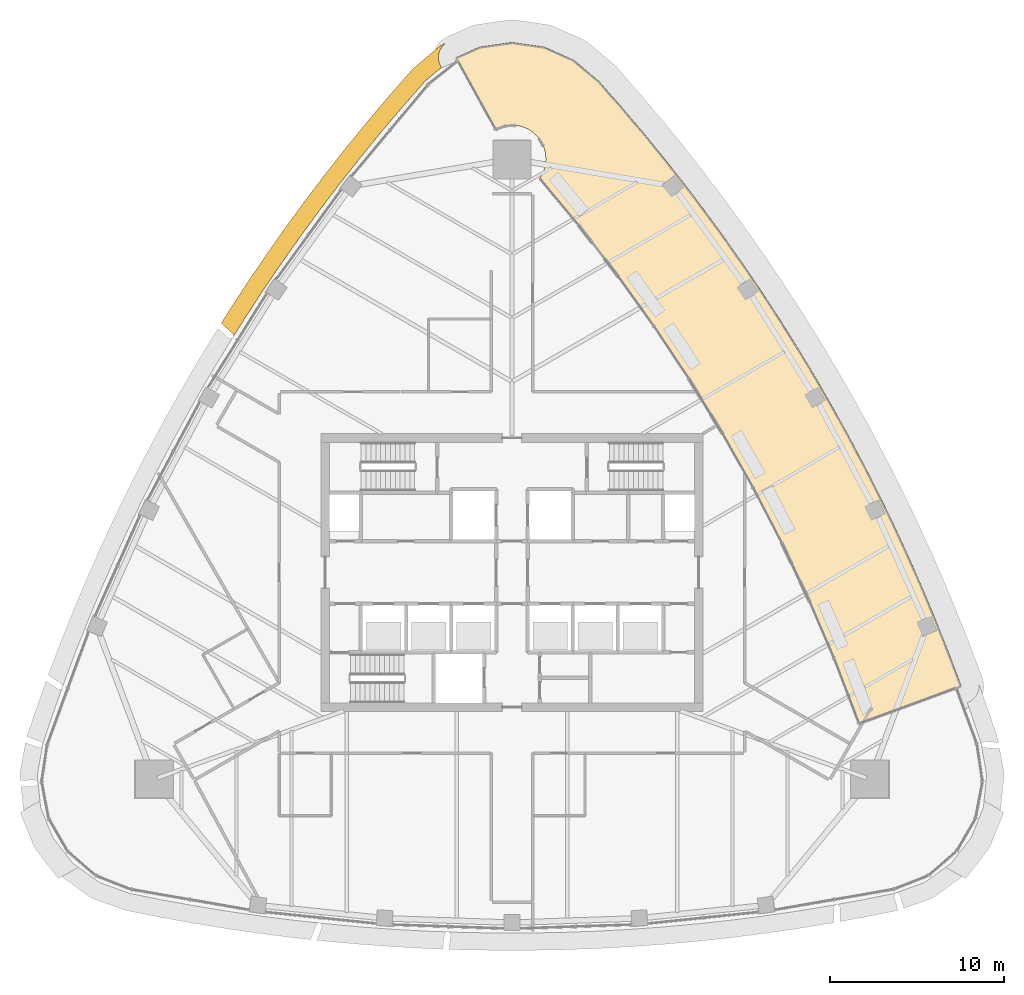
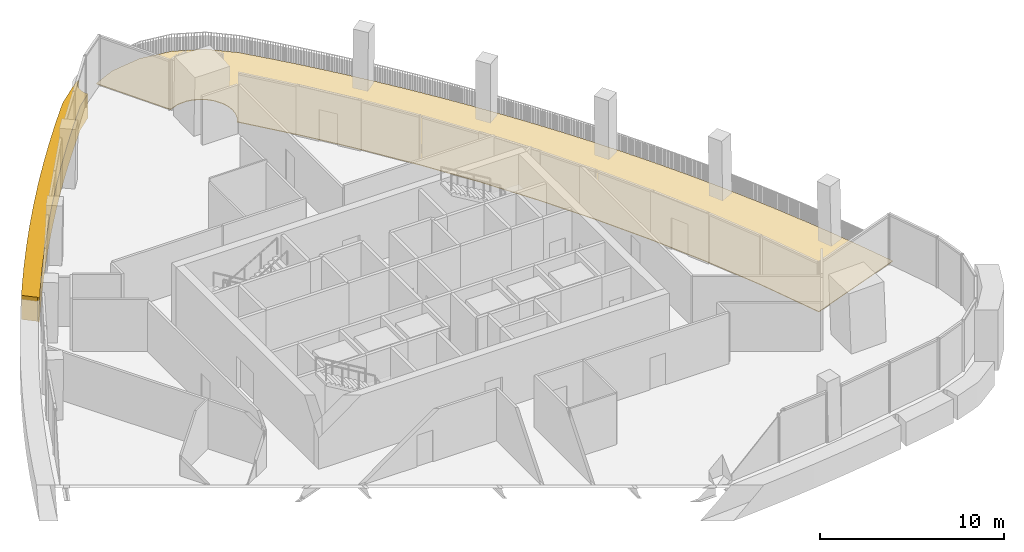
# One storey, part 16 of 18: 2 coverings.
"""IFC4 building model written with IfcOpenShell, lengths in metres."""

from ifc_helpers import new_model, si_unit, direction, frame, origin, place, context, subcontext, project, spatial, polyline, outline, extrude, material, layer, layer_set, type_object, element, save


model = new_model("IFC4")

# Units and contexts
model_context = context("Model", 3, precision=1e-05, world=origin(), true_north=direction((0.0, 1.0)))
body_context = subcontext(model_context, "Body", "Model", "MODEL_VIEW")
ifc_project = project(units=[si_unit("LENGTHUNIT", "METRE"), si_unit("AREAUNIT", "SQUARE_METRE"), si_unit("VOLUMEUNIT", "CUBIC_METRE"), si_unit("PLANEANGLEUNIT", "RADIAN"), si_unit("MASSUNIT", "GRAM", prefix="KILO")], contexts=[model_context])

# Site, building, storey
site_placement = place(None, origin())
site = spatial("IfcSite", under=ifc_project, at=site_placement, CompositionType="ELEMENT")
building_placement = place(site_placement, origin())
building = spatial("IfcBuilding", under=site, at=building_placement, Name="Sierra Prisma Convention Tower", CompositionType="ELEMENT")
storey_placement = place(building_placement, frame((0.0, 0.0, 291.0)))
storey = spatial("IfcBuildingStorey", under=building, at=storey_placement, Name="L66", CompositionType="ELEMENT", Elevation=291.0)

# Coverings
ifc_material_1 = material(Name="Aluminium composite bronze anodised", Category="aluminium")
ifc_layer_1 = layer(ifc_material_1, 1.0)
ifc_layer_set_1 = layer_set([ifc_layer_1], Name="Bronze spandrel band")
covering_type_1 = type_object("IfcCoveringType", Name="Bronze spandrel band", PredefinedType="CLADDING", material=ifc_layer_set_1)
covering_1_placement = place(storey_placement, frame((0.0, 0.0, -1.60009765625)))
element("IfcCovering", 1, at=covering_1_placement, inside=storey, type_object=covering_type_1, Name="Spandrel band L66.3", PredefinedType="CLADDING", context=body_context, shape_type="SweptSolid", body=[
    extrude(outline(polyline([(-13.041259765625, 19.869140625), (-11.904052734375, 21.42431640625), (-11.893310546875, 21.438720703125), (-10.728515625, 22.973388671875), (-10.717529296875, 22.987548828125), (-9.525390625, 24.500732421875), (-9.51416015625, 24.514892578125), (-8.294921875, 26.006591796875), (-8.283447265625, 26.0205078125), (-7.03759765625, 27.489990234375), (-7.02587890625, 27.503662109375), (-5.75390625, 28.95068359375), (-5.647705078125, 29.0546875), (-4.2138671875, 30.263916015625), (-3.977294921875, 30.412353515625), (-3.799560546875, 30.49169921875), (-3.875, 30.432861328125), (-3.94677734375, 30.36474609375), (-4.011474609375, 30.289794921875), (-4.068603515625, 30.208984375), (-4.117919921875, 30.123046875), (-4.158447265625, 30.03271484375), (-4.18994140625, 29.938720703125), (-4.21240234375, 29.84228515625), (-4.225341796875, 29.744140625), (-4.228515625, 29.645263671875), (-4.222412109375, 29.54638671875), (-4.206298828125, 29.448486328125), (-4.18115234375, 29.352783203125), (-4.146728515625, 29.260009765625), (-4.103515625, 29.1708984375), (-4.057861328125, 29.08740234375), (-5.0029296875, 28.290283203125), (-6.27490234375, 26.843505859375), (-7.520751953125, 25.373779296875), (-8.73974609375, 23.882080078125), (-9.931884765625, 22.36865234375), (-11.096923828125, 20.833984375), (-12.23388671875, 19.27880859375), (-13.343017578125, 17.70361328125), (-14.423583984375, 16.1083984375), (-15.47509765625, 14.494384765625), (-16.029296875, 13.609375), (-16.029296875, 13.610107421875), (-16.02880859375, 13.615234375), (-16.02880859375, 13.620361328125), (-16.029296875, 13.62548828125), (-16.030517578125, 13.630615234375), (-16.031982421875, 13.635498046875), (-16.07666015625, 13.749755859375), (-16.07861328125, 13.75390625), (-16.080810546875, 13.758056640625), (-16.08349609375, 13.76171875), (-16.08642578125, 13.765380859375), (-16.089599609375, 13.7685546875), (-16.741455078125, 14.3564453125), (-16.32275390625, 15.025146484375), (-16.31298828125, 15.040283203125), (-15.26123046875, 16.654296875), (-15.25146484375, 16.669189453125), (-14.1708984375, 18.264404296875), (-14.16064453125, 18.279296875), (-13.0517578125, 19.8544921875), (-13.041259765625, 19.869140625)])), origin(), (0.0, 0.0, 1.0), 1.60009765625),
])
ifc_material_2 = material(Name="Porcelain stoneware paving", Category="masonry")
ifc_layer_2 = layer(ifc_material_2, 0.0400390625)
ifc_layer_set_2 = layer_set([ifc_layer_2], Name="Terrace paving")
covering_type_2 = type_object("IfcCoveringType", Name="Terrace paving", PredefinedType="FLOORING", material=ifc_layer_set_2)
covering_2_placement = place(storey_placement, origin())
element("IfcCovering", 2, at=covering_2_placement, inside=storey, type_object=covering_type_2, Name="Terrace paving L66", PredefinedType="FLOORING", context=body_context, shape_type="SweptSolid", body=[
    extrude(outline(polyline([(25.865478515625, -6.5390625), (25.734619140625, -6.173828125), (25.05224609375, -4.3720703125), (24.337890625, -2.5830078125), (23.59130859375, -0.806884765625), (22.81298828125, 0.95556640625), (22.003173828125, 2.70361328125), (21.162109375, 4.436767578125), (20.2900390625, 6.15478515625), (19.38720703125, 7.856689453125), (18.4541015625, 9.542236328125), (17.49072265625, 11.210693359375), (16.497802734375, 12.861572265625), (15.47509765625, 14.494384765625), (14.423583984375, 16.1083984375), (13.343017578125, 17.70361328125), (12.23388671875, 19.27880859375), (11.096923828125, 20.833984375), (9.93212890625, 22.36865234375), (8.73974609375, 23.882080078125), (7.520751953125, 25.373779296875), (6.27490234375, 26.84326171875), (5.0029296875, 28.290283203125), (3.5693359375, 29.49951171875), (1.857177734375, 30.2646484375), (0.0, 30.526611328125), (-1.857177734375, 30.2646484375), (-3.208740234375, 29.66064453125), (-0.940673828125, 25.516357421875), (-0.381591796875, 25.73046875), (0.191650390625, 25.758544921875), (0.567626953125, 25.683837890625), (0.921875, 25.537109375), (1.24072265625, 25.32421875), (1.51171875, 25.052978515625), (1.806884765625, 24.560791015625), (1.91796875, 24.19384765625), (1.95556640625, 23.8125), (1.91796875, 23.430908203125), (1.806884765625, 23.06396484375), (1.600830078125, 22.69189453125), (3.864990234375, 19.97021484375), (4.98779296875, 18.545166015625), (6.084716796875, 17.099853515625), (8.199951171875, 14.151611328125), (10.2080078125, 11.12939453125), (12.106201171875, 8.037109375), (13.89208984375, 4.87841796875), (15.563720703125, 1.65771484375), (17.118408203125, -1.620849609375), (18.554443359375, -4.953125), (19.985107421875, -8.693115234375), (25.865478515625, -6.5390625)])), origin(), (0.0, 0.0, 1.0), 0.0400390625),
])

save(model, "model.ifc")
